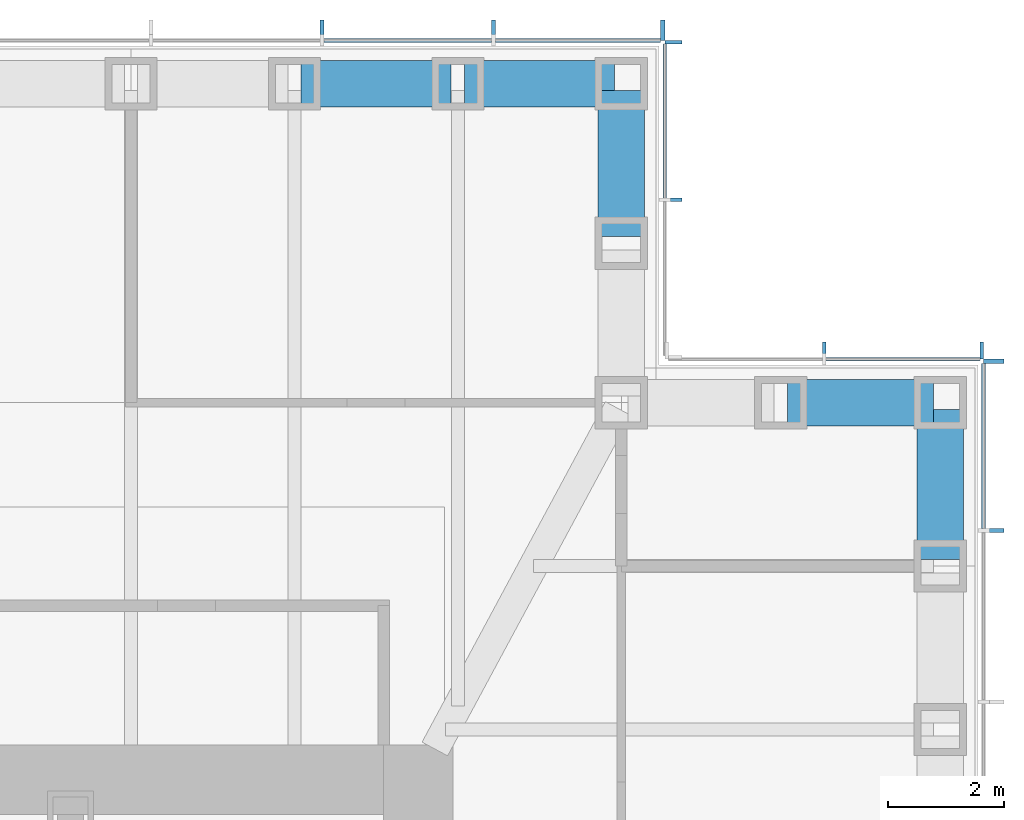
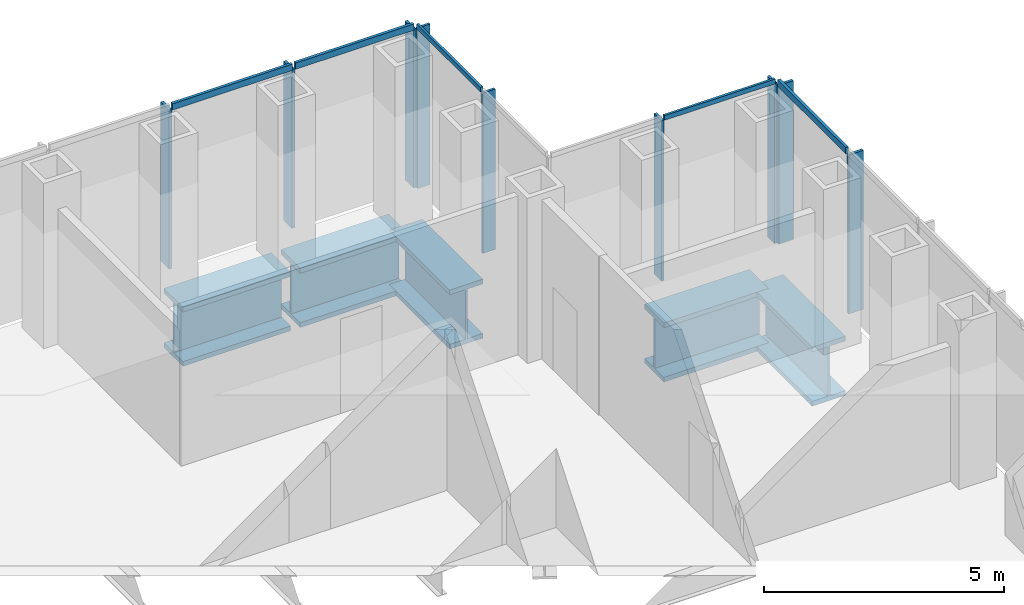
# One storey, part 6 of 16: 14 members, 5 beams, 4 elements without a shape of their own.
"""IFC4 building model written with IfcOpenShell, lengths in metres."""

import ifcopenshell
import ifcopenshell.guid

model = None  # the IFC model being written
_history = None  # IfcOwnerHistory: only IFC2X3 demands one
_inside = {}  # id of a spatial element -> (the spatial element, [elements in it])
_under = {}  # id of a project, library or spatial element -> (it, [spatial elements below it])
_declared = {}  # id of a project -> (the project, [libraries it declares])
_typed = {}  # id of a type object -> (the type object, [elements of that type])
_made_of = {}  # id of a material, layer set ... -> (it, [elements and type objects made of it])


def new_model(schema):
    """Start an empty IFC model of exactly this schema.

    Asked for "IFC4X3", IfcOpenShell would pick the latest addendum, in which some entities
    have other attributes; the version numbers below select the first issue.
    IFC2X3 requires an IfcOwnerHistory on every rooted entity: one is made here for all.
    """
    global model, _history
    if schema == "IFC4X3":
        model = ifcopenshell.file(schema_version=(4, 3, 0, 0))
    else:
        model = ifcopenshell.file(schema=schema)
    _inside.clear()
    _under.clear()
    _declared.clear()
    _typed.clear()
    _made_of.clear()
    _history = None
    if model.schema == "IFC2X3":
        org = make("IfcOrganization", Name="unknown")
        user = make(
            "IfcPersonAndOrganization",
            ThePerson=make("IfcPerson", FamilyName="unknown"),
            TheOrganization=org,
        )
        app = make(
            "IfcApplication",
            ApplicationDeveloper=org,
            Version="unknown",
            ApplicationFullName="unknown",
            ApplicationIdentifier="unknown",
        )
        _history = make(
            "IfcOwnerHistory",
            OwningUser=user,
            OwningApplication=app,
            ChangeAction="ADDED",
            CreationDate=0,
        )
    return model


def make(cls, **values):
    """One entity of the class cls with the attributes given. An attribute that is None is left unset."""
    return model.create_entity(
        cls, **{name: value for name, value in values.items() if value is not None}
    )


def rooted(cls, **values):
    """An entity with a GlobalId (a new one), such as an element, a storey or a relation."""
    return make(cls, GlobalId=ifcopenshell.guid.new(), OwnerHistory=_history, **values)


def si_unit(unit_type, name, prefix=None):
    """IfcSIUnit, for example si_unit("LENGTHUNIT", "METRE", prefix="MILLI")."""
    return make("IfcSIUnit", UnitType=unit_type, Prefix=prefix, Name=name)


def assignment(units):
    """IfcUnitAssignment: the units of a project."""
    return None if units is None else make("IfcUnitAssignment", Units=units)


def point(xyz):
    """IfcCartesianPoint."""
    return None if xyz is None else make("IfcCartesianPoint", Coordinates=xyz)


def direction(xyz):
    """IfcDirection."""
    return None if xyz is None else make("IfcDirection", DirectionRatios=xyz)


def frame(location, z_axis=None, x_axis=None):
    """IfcAxis2Placement3D, a coordinate frame: its origin and axes. An axis left out is left unset."""
    return make(
        "IfcAxis2Placement3D",
        Location=point(location),
        Axis=direction(z_axis),
        RefDirection=direction(x_axis),
    )


def frame_2d(location, x_axis=None):
    """IfcAxis2Placement2D, a coordinate frame in the plane: its origin and x axis."""
    return make(
        "IfcAxis2Placement2D", Location=point(location), RefDirection=direction(x_axis)
    )


def origin():
    """The frame at (0, 0, 0) with its axes left unset."""
    return frame((0.0, 0.0, 0.0))


def origin_2d():
    """The frame at (0, 0) in the plane with its x axis left unset."""
    return frame_2d((0.0, 0.0))


def place(relative_to, where):
    """IfcLocalPlacement: puts the frame where relative to a parent placement (None: the world)."""
    return make(
        "IfcLocalPlacement", PlacementRelTo=relative_to, RelativePlacement=where
    )


def context(
    kind, dimensions, precision=None, world=None, true_north=None, identifier=None
):
    """IfcGeometricRepresentationContext, for example the 3D "Model" context."""
    return make(
        "IfcGeometricRepresentationContext",
        ContextIdentifier=identifier,
        ContextType=kind,
        CoordinateSpaceDimension=dimensions,
        Precision=precision,
        WorldCoordinateSystem=world,
        TrueNorth=true_north,
    )


def subcontext(parent, identifier, kind, view, scale=None):
    """IfcGeometricRepresentationSubContext, for example "Body" below "Model"."""
    return make(
        "IfcGeometricRepresentationSubContext",
        ContextIdentifier=identifier,
        ContextType=kind,
        ParentContext=parent,
        TargetScale=scale,
        TargetView=view,
    )


def project(units=None, contexts=None):
    """IfcProject with its units and contexts."""
    return rooted(
        "IfcProject",
        Name="project",
        RepresentationContexts=contexts,
        UnitsInContext=assignment(units),
    )


def spatial(cls, under=None, at=None, **own):
    """A site, building, storey or space (cls), placed at a placement, below another one or the project."""
    s = rooted(cls, ObjectPlacement=at, **own)
    if under is not None:
        _under.setdefault(under.id(), (under, []))[1].append(s)
    return s


def profile(cls, at=None, kind="AREA", **sizes):
    """A parametric profile (cls). Its sizes go by their IFC names, for example OverallWidth=200.0."""
    return make(cls, ProfileType=kind, Position=at, **sizes)


def rectangle(**sizes):
    """IfcRectangleProfileDef."""
    return profile("IfcRectangleProfileDef", **sizes)


def i_section(**sizes):
    """IfcIShapeProfileDef."""
    return profile("IfcIShapeProfileDef", **sizes)


def extrude(swept, where, along, depth):
    """IfcExtrudedAreaSolid: the profile swept, set in the frame where, extruded along a direction by depth."""
    return make(
        "IfcExtrudedAreaSolid",
        SweptArea=swept,
        Position=where,
        ExtrudedDirection=direction(along),
        Depth=depth,
    )


def shape(context_of_items, identifier, shape_type, items):
    """IfcShapeRepresentation: the items that make up one representation, for example the "Body"."""
    return make(
        "IfcShapeRepresentation",
        ContextOfItems=context_of_items,
        RepresentationIdentifier=identifier,
        RepresentationType=shape_type,
        Items=items,
    )


def material(Name=None, Category=None):
    """IfcMaterial."""
    return make("IfcMaterial", Name=Name, Category=Category)


def material_profile(
    of_material, cross_section, Name=None, Category=None, Priority=None
):
    """IfcMaterialProfile: a cross section and its material."""
    return make(
        "IfcMaterialProfile",
        Name=Name,
        Material=of_material,
        Profile=cross_section,
        Priority=Priority,
        Category=Category,
    )


def profile_set(profiles, Name=None, composite=None):
    """IfcMaterialProfileSet."""
    return make(
        "IfcMaterialProfileSet",
        Name=Name,
        MaterialProfiles=profiles,
        CompositeProfile=composite,
    )


def made_of(thing, what):
    """Note that an element or type object is made of a material, layer set ...; save() writes the relation."""
    if what is not None:
        _made_of.setdefault(what.id(), (what, []))[1].append(thing)
    return thing


def type_object(cls, material=None, **own):
    """A type object (cls), such as IfcWallType, which elements share."""
    return made_of(rooted(cls, **own), material)


def element(
    cls,
    number,
    at=None,
    inside=None,
    cuts=None,
    type_object=None,
    material=None,
    context=None,
    identifier="Body",
    shape_type=None,
    held_by="IfcProductDefinitionShape",
    body=None,
    shapes=None,
    **own,
):
    """One element of the class cls, such as IfcWall. Its Tag is "e" and its number.

    at: its placement. inside: the storey or other place that contains it. cuts: it is an
    opening in that element (IfcRelVoidsElement). A single representation is given by context,
    identifier, shape_type and body (its items); several are given by shapes. held_by: the class
    of the entity that holds the representations. save() writes the other relations.
    """
    e = rooted(cls, Tag="e%d" % number, ObjectPlacement=at, **own)
    if body is not None:
        shapes = [shape(context, identifier, shape_type, body)]
    if shapes is not None:
        e.Representation = make(held_by, Representations=shapes)
    if inside is not None:
        _inside.setdefault(inside.id(), (inside, []))[1].append(e)
    if cuts is not None:
        rooted(
            "IfcRelVoidsElement", RelatingBuildingElement=cuts, RelatedOpeningElement=e
        )
    if type_object is not None:
        _typed.setdefault(type_object.id(), (type_object, []))[1].append(e)
    return made_of(e, material)


def aggregate(whole, parts):
    """IfcRelAggregates: a whole, such as a stair, and the parts it consists of."""
    return rooted("IfcRelAggregates", RelatingObject=whole, RelatedObjects=parts)


def save(model, path):
    """Write the relations noted so far, then the file.

    IfcRelAggregates (storeys below a building ...), IfcRelContainedInSpatialStructure (elements
    in a storey), IfcRelDefinesByType, IfcRelAssociatesMaterial and IfcRelDeclares: one each for
    every whole, place, type object, material and project.
    """
    for whole, parts in _under.values():
        aggregate(whole, parts)
    for where, things in _inside.values():
        rooted(
            "IfcRelContainedInSpatialStructure",
            RelatedElements=things,
            RelatingStructure=where,
        )
    for kind, things in _typed.values():
        rooted("IfcRelDefinesByType", RelatedObjects=things, RelatingType=kind)
    for what, things in _made_of.values():
        rooted("IfcRelAssociatesMaterial", RelatedObjects=things, RelatingMaterial=what)
    for by, libraries in _declared.values():
        rooted("IfcRelDeclares", RelatingContext=by, RelatedDefinitions=libraries)
    model.write(path)


model = new_model("IFC4")

# Units and contexts
model_context = context("Model", 3, precision=1e-05, world=origin(), true_north=direction((0.0, 1.0)))
body_context = subcontext(model_context, "Body", "Model", "MODEL_VIEW")
ifc_project = project(units=[si_unit("LENGTHUNIT", "METRE"), si_unit("AREAUNIT", "SQUARE_METRE"), si_unit("VOLUMEUNIT", "CUBIC_METRE"), si_unit("PLANEANGLEUNIT", "RADIAN"), si_unit("MASSUNIT", "GRAM", prefix="KILO")], contexts=[model_context])

# Site, building, storey
site_placement = place(None, origin())
site = spatial("IfcSite", under=ifc_project, at=site_placement, CompositionType="ELEMENT")
building_placement = place(site_placement, origin())
building = spatial("IfcBuilding", under=site, at=building_placement, Name="Daluyong Arena Tower", CompositionType="ELEMENT")
storey_placement = place(building_placement, frame((0.0, 0.0, 210.699951171875)))
storey = spatial("IfcBuildingStorey", under=building, at=storey_placement, Name="L47", CompositionType="ELEMENT", Elevation=210.699951171875)

# Curtain wall, members
ifc_material_1 = material(Name="Bronze anodised aluminium and glass", Category="aluminium")
curtain_wall_type_1 = type_object("IfcCurtainWallType", Name="Curtain wall CW3", PredefinedType="USERDEFINED", material=ifc_material_1)
curtain_wall_1_placement = place(storey_placement, origin())
curtain_wall_1 = element("IfcCurtainWall", 1, at=curtain_wall_1_placement, inside=storey, type_object=curtain_wall_type_1, Name="curtain wall L47 E", ObjectType="UNITISED CURTAIN WALL", PredefinedType="USERDEFINED")
ifc_material_2 = material(Name="Bronze anodised aluminium fin", Category="aluminium")
ifc_material_profile_1 = material_profile(ifc_material_2, rectangle(XDim=0.35009765625, YDim=0.070068359375, at=origin_2d()))
ifc_profile_set_1 = profile_set([ifc_material_profile_1], Name="Bronze anodised aluminium fin")
member_type_1 = type_object("IfcMemberType", Name="CW3 bronze fin 350x70", PredefinedType="MULLION", material=ifc_profile_set_1)
member_1_placement = place(storey_placement, frame((77.925048828125, 93.29541015625, 0.0), z_axis=(0.0, 0.0, 1.0), x_axis=(-1.0, 0.0, 0.0)))
member_1 = element("IfcMember", 2, at=member_1_placement, type_object=member_type_1, Name="curtain wall L47 E fin 11", PredefinedType="MULLION", context=body_context, shape_type="SweptSolid", body=[
    extrude(rectangle(XDim=0.35009765625, YDim=0.070068359375, at=origin_2d()), origin(), (0.0, 0.0, 1.0), 4.0400390625),
])
member_2_placement = place(storey_placement, frame((77.925048828125, 96.215087890625, 0.0), z_axis=(0.0, 0.0, 1.0), x_axis=(-1.0, 0.0, 0.0)))
member_2 = element("IfcMember", 3, at=member_2_placement, type_object=member_type_1, Name="curtain wall L47 E fin 12", PredefinedType="MULLION", context=body_context, shape_type="SweptSolid", body=[
    extrude(rectangle(XDim=0.35009765625, YDim=0.070068359375, at=origin_2d()), origin(), (0.0, 0.0, 1.0), 4.0400390625),
])

curtain_wall_2_placement = place(storey_placement, origin())
curtain_wall_2 = element("IfcCurtainWall", 4, at=curtain_wall_2_placement, inside=storey, type_object=curtain_wall_type_1, Name="curtain wall L47 N", ObjectType="UNITISED CURTAIN WALL", PredefinedType="USERDEFINED")
member_3_placement = place(storey_placement, frame((72.215087890625, 101.925048828125, 0.0), z_axis=(0.0, 0.0, 1.0), x_axis=(0.0, -1.0, 0.0)))
member_3 = element("IfcMember", 5, at=member_3_placement, type_object=member_type_1, Name="curtain wall L47 N fin 1", PredefinedType="MULLION", context=body_context, shape_type="SweptSolid", body=[
    extrude(rectangle(XDim=0.35009765625, YDim=0.070068359375, at=origin_2d()), origin(), (0.0, 0.0, 1.0), 4.0400390625),
])
member_4_placement = place(storey_placement, frame((69.29541015625, 101.925048828125, 0.0), z_axis=(0.0, 0.0, 1.0), x_axis=(0.0, -1.0, 0.0)))
member_4 = element("IfcMember", 6, at=member_4_placement, type_object=member_type_1, Name="curtain wall L47 N fin 2", PredefinedType="MULLION", context=body_context, shape_type="SweptSolid", body=[
    extrude(rectangle(XDim=0.35009765625, YDim=0.070068359375, at=origin_2d()), origin(), (0.0, 0.0, 1.0), 4.0400390625),
])
member_5_placement = place(storey_placement, frame((66.3408203125, 101.925048828125, 0.0), z_axis=(0.0, 0.0, 1.0), x_axis=(0.0, -1.0, 0.0)))
member_5 = element("IfcMember", 7, at=member_5_placement, type_object=member_type_1, Name="curtain wall L47 N fin 3", PredefinedType="MULLION", context=body_context, shape_type="SweptSolid", body=[
    extrude(rectangle(XDim=0.35009765625, YDim=0.070068359375, at=origin_2d()), origin(), (0.0, 0.0, 1.0), 4.0400390625),
])

# Member
ifc_material_3 = material(Name="Bronze anodised aluminium", Category="aluminium")
ifc_material_profile_2 = material_profile(ifc_material_3, rectangle(XDim=0.070068359375, YDim=0.159912109375, at=origin_2d()))
ifc_profile_set_2 = profile_set([ifc_material_profile_2], Name="Bronze anodised aluminium")
member_type_2 = type_object("IfcMemberType", Name="CW3 stack transom 160x70", PredefinedType="USERDEFINED", material=ifc_profile_set_2)
member_6_placement = place(storey_placement, frame((77.75, 93.33056640625, 4.1201171875), z_axis=(0.0, 1.0, 0.0), x_axis=(-1.0, 0.0, 0.0)))
member_6 = element("IfcMember", 8, at=member_6_placement, type_object=member_type_2, Name="curtain wall L47 E transom 11", ObjectType="TRANSOM", PredefinedType="USERDEFINED", context=body_context, shape_type="SweptSolid", body=[
    extrude(rectangle(XDim=0.070068359375, YDim=0.159912109375, at=origin_2d()), origin(), (0.0, 0.0, 1.0), 2.849365234375),
])

aggregate(curtain_wall_1, [member_1, member_2, member_6])

member_7_placement = place(storey_placement, frame((72.179931640625, 101.75, 4.1201171875), z_axis=(-1.0, 0.0, 0.0), x_axis=(0.0, -1.0, 0.0)))
member_7 = element("IfcMember", 9, at=member_7_placement, type_object=member_type_2, Name="curtain wall L47 N transom 1", ObjectType="TRANSOM", PredefinedType="USERDEFINED", context=body_context, shape_type="SweptSolid", body=[
    extrude(rectangle(XDim=0.070068359375, YDim=0.159912109375, at=origin_2d()), origin(), (0.0, 0.0, 1.0), 2.849365234375),
])

member_8_placement = place(storey_placement, frame((69.260498046875, 101.75, 4.1201171875), z_axis=(-1.0, 0.0, 0.0), x_axis=(0.0, -1.0, 0.0)))
member_8 = element("IfcMember", 10, at=member_8_placement, type_object=member_type_2, Name="curtain wall L47 N transom 2", ObjectType="TRANSOM", PredefinedType="USERDEFINED", context=body_context, shape_type="SweptSolid", body=[
    extrude(rectangle(XDim=0.070068359375, YDim=0.159912109375, at=origin_2d()), origin(), (0.0, 0.0, 1.0), 2.884521484375),
])

aggregate(curtain_wall_2, [member_3, member_4, member_5, member_7, member_8])

# Curtain wall, members
ifc_material_4 = material(Name="Bronze anodised aluminium and glass", Category="aluminium")
curtain_wall_type_2 = type_object("IfcCurtainWallType", Name="Curtain wall CW7", PredefinedType="USERDEFINED", material=ifc_material_4)
curtain_wall_3_placement = place(storey_placement, origin())
curtain_wall_3 = element("IfcCurtainWall", 11, at=curtain_wall_3_placement, inside=storey, type_object=curtain_wall_type_2, Name="curtain wall L47 NE-N", ObjectType="UNITISED CURTAIN WALL", PredefinedType="USERDEFINED")
ifc_material_5 = material(Name="Bronze anodised aluminium fin", Category="aluminium")
ifc_material_profile_3 = material_profile(ifc_material_5, rectangle(XDim=0.300048828125, YDim=0.06005859375, at=origin_2d()))
ifc_profile_set_3 = profile_set([ifc_material_profile_3], Name="Bronze anodised aluminium fin")
member_type_3 = type_object("IfcMemberType", Name="CW7 bronze fin 300x60", PredefinedType="MULLION", material=ifc_profile_set_3)
member_9_placement = place(storey_placement, frame((77.719970703125, 96.39990234375, 0.0), z_axis=(0.0, 0.0, 1.0), x_axis=(0.0, -1.0, 0.0)))
member_9 = element("IfcMember", 12, at=member_9_placement, type_object=member_type_3, Name="curtain wall L47 NE-N fin 1", PredefinedType="MULLION", context=body_context, shape_type="SweptSolid", body=[
    extrude(rectangle(XDim=0.300048828125, YDim=0.06005859375, at=origin_2d()), origin(), (0.0, 0.0, 1.0), 4.080078125),
])
member_10_placement = place(storey_placement, frame((75.0, 96.39990234375, 0.0), z_axis=(0.0, 0.0, 1.0), x_axis=(0.0, -1.0, 0.0)))
member_10 = element("IfcMember", 13, at=member_10_placement, type_object=member_type_3, Name="curtain wall L47 NE-N fin 2", PredefinedType="MULLION", context=body_context, shape_type="SweptSolid", body=[
    extrude(rectangle(XDim=0.300048828125, YDim=0.06005859375, at=origin_2d()), origin(), (0.0, 0.0, 1.0), 4.080078125),
])

curtain_wall_4_placement = place(storey_placement, origin())
curtain_wall_4 = element("IfcCurtainWall", 14, at=curtain_wall_4_placement, inside=storey, type_object=curtain_wall_type_2, Name="curtain wall L47 NE-E", ObjectType="UNITISED CURTAIN WALL", PredefinedType="USERDEFINED")
member_11_placement = place(storey_placement, frame((72.39990234375, 99.0, 0.0), z_axis=(0.0, 0.0, 1.0), x_axis=(-1.0, 0.0, 0.0)))
member_11 = element("IfcMember", 15, at=member_11_placement, type_object=member_type_3, Name="curtain wall L47 NE-E fin 2", PredefinedType="MULLION", context=body_context, shape_type="SweptSolid", body=[
    extrude(rectangle(XDim=0.300048828125, YDim=0.06005859375, at=origin_2d()), origin(), (0.0, 0.0, 1.0), 4.080078125),
])
member_12_placement = place(storey_placement, frame((72.39990234375, 101.719970703125, 0.0), z_axis=(0.0, 0.0, 1.0), x_axis=(-1.0, 0.0, 0.0)))
member_12 = element("IfcMember", 16, at=member_12_placement, type_object=member_type_3, Name="curtain wall L47 NE-E fin 3", PredefinedType="MULLION", context=body_context, shape_type="SweptSolid", body=[
    extrude(rectangle(XDim=0.300048828125, YDim=0.06005859375, at=origin_2d()), origin(), (0.0, 0.0, 1.0), 4.080078125),
])

# Member
ifc_material_6 = material(Name="Bronze anodised aluminium", Category="aluminium")
ifc_material_profile_4 = material_profile(ifc_material_6, rectangle(XDim=0.06005859375, YDim=0.1201171875, at=origin_2d()))
ifc_profile_set_4 = profile_set([ifc_material_profile_4], Name="Bronze anodised aluminium")
member_type_4 = type_object("IfcMemberType", Name="CW7 stack transom 120x60", PredefinedType="USERDEFINED", material=ifc_profile_set_4)
member_13_placement = place(storey_placement, frame((77.68994140625, 96.25, 4.14013671875), z_axis=(-1.0, 0.0, 0.0), x_axis=(0.0, -1.0, 0.0)))
member_13 = element("IfcMember", 17, at=member_13_placement, type_object=member_type_4, Name="curtain wall L47 NE-N transom 1", ObjectType="TRANSOM", PredefinedType="USERDEFINED", context=body_context, shape_type="SweptSolid", body=[
    extrude(rectangle(XDim=0.06005859375, YDim=0.1201171875, at=origin_2d()), origin(), (0.0, 0.0, 1.0), 2.659912109375),
])

aggregate(curtain_wall_3, [member_9, member_10, member_13])

member_14_placement = place(storey_placement, frame((72.25, 99.030029296875, 4.14013671875), z_axis=(0.0, 1.0, 0.0), x_axis=(-1.0, 0.0, 0.0)))
member_14 = element("IfcMember", 18, at=member_14_placement, type_object=member_type_4, Name="curtain wall L47 NE-E transom 2", ObjectType="TRANSOM", PredefinedType="USERDEFINED", context=body_context, shape_type="SweptSolid", body=[
    extrude(rectangle(XDim=0.06005859375, YDim=0.1201171875, at=origin_2d()), origin(), (0.0, 0.0, 1.0), 2.659912109375),
])

aggregate(curtain_wall_4, [member_11, member_12, member_14])

# Beams
ifc_material_7 = material(Name="Steel ASTM A588 Grade 50", Category="steel")
ifc_material_profile_5 = material_profile(ifc_material_7, i_section(OverallWidth=0.800048828125, OverallDepth=1.5, WebThickness=0.05, FlangeThickness=0.12, at=origin_2d()))
ifc_profile_set_5 = profile_set([ifc_material_profile_5], Name="Steel ASTM A588 Grade 50")
beam_type = type_object("IfcBeamType", Name="Spandrel Z3 PG1500X800", PredefinedType="SPANDREL", material=ifc_profile_set_5)
beam_1_placement = place(storey_placement, frame((77.0, 92.796875, -0.909912109375), z_axis=(0.0, 1.0, 0.0), x_axis=(-1.0, 0.0, 0.0)))
element("IfcBeam", 19, at=beam_1_placement, inside=storey, type_object=beam_type, Name="spandrel z3 SB7", PredefinedType="SPANDREL", context=body_context, shape_type="SweptSolid", body=[
    extrude(i_section(OverallWidth=0.800048828125, OverallDepth=1.5, WebThickness=0.05, FlangeThickness=0.12, at=origin_2d()), origin(), (0.0, 0.0, 1.0), 2.588134765625),
])
for number, where, z_axis, x_axis, name in (
    (20, (76.885009765625, 95.5, -0.909912109375), (-1.0, 0.0, 0.0), (0.0, -1.0, 0.0), "spandrel z3 SB7"),
    (21, (71.5, 98.364990234375, -0.909912109375), (0.0, 1.0, 0.0), (-1.0, 0.0, 0.0), "spandrel z3 SB7"),
):
    element("IfcBeam", number, at=place(storey_placement, frame(where, z_axis=z_axis, x_axis=x_axis)), inside=storey, type_object=beam_type, Name=name, PredefinedType="SPANDREL", context=body_context, shape_type="SweptSolid", body=[
        extrude(i_section(OverallWidth=0.800048828125, OverallDepth=1.5, WebThickness=0.05, FlangeThickness=0.12, at=origin_2d()), origin(), (0.0, 0.0, 1.0), 2.52001953125),
    ])
beam_2_placement = place(storey_placement, frame((71.385009765625, 101.0, -0.909912109375), z_axis=(-1.0, 0.0, 0.0), x_axis=(0.0, -1.0, 0.0)))
element("IfcBeam", 22, at=beam_2_placement, inside=storey, type_object=beam_type, Name="spandrel z3 SB7", PredefinedType="SPANDREL", context=body_context, shape_type="SweptSolid", body=[
    extrude(i_section(OverallWidth=0.800048828125, OverallDepth=1.5, WebThickness=0.05, FlangeThickness=0.12, at=origin_2d()), origin(), (0.0, 0.0, 1.0), 2.588134765625),
])
beam_3_placement = place(storey_placement, frame((68.56689453125, 101.0, -0.909912109375), z_axis=(-1.0, 0.0, 0.0), x_axis=(0.0, -1.0, 0.0)))
element("IfcBeam", 23, at=beam_3_placement, inside=storey, type_object=beam_type, Name="spandrel z3 SB7", PredefinedType="SPANDREL", context=body_context, shape_type="SweptSolid", body=[
    extrude(i_section(OverallWidth=0.800048828125, OverallDepth=1.5, WebThickness=0.05, FlangeThickness=0.12, at=origin_2d()), origin(), (0.0, 0.0, 1.0), 2.58837890625),
])

save(model, "model.ifc")
